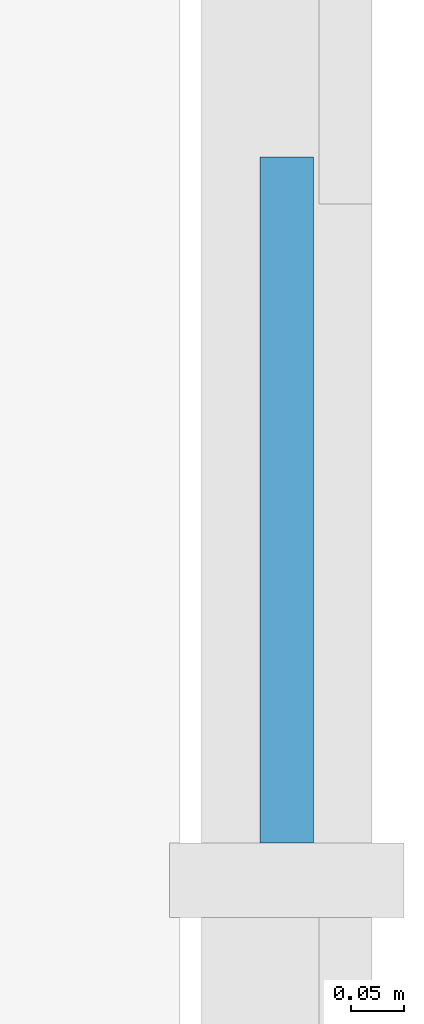
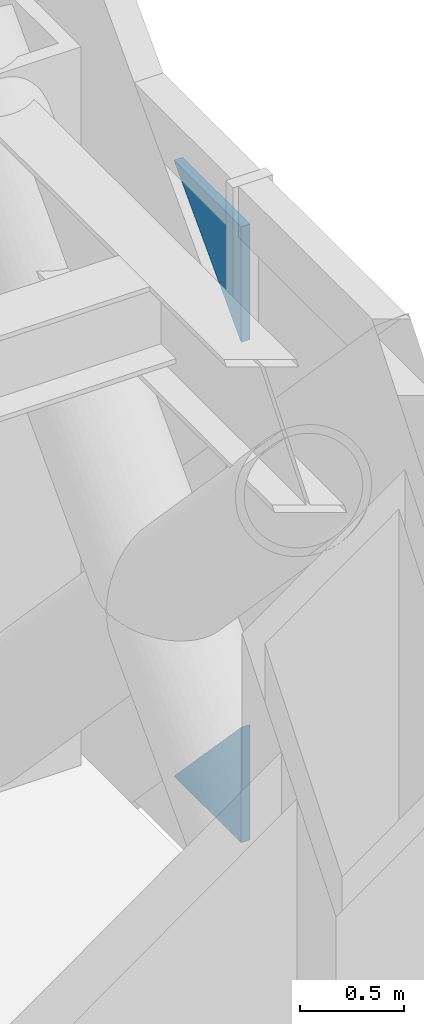
# One storey, part 13 of 18: 2 plates, 1 element without a shape of its own.
"""IFC4 building model written with IfcOpenShell, lengths in metres."""

from ifc_helpers import new_model, si_unit, direction, frame, origin, place, context, subcontext, project, spatial, polyline, outline, extrude, material, layer, layer_set, type_object, element, aggregate, save


model = new_model("IFC4")

# Units and contexts
model_context = context("Model", 3, precision=1e-05, world=origin(), true_north=direction((0.0, 1.0)))
body_context = subcontext(model_context, "Body", "Model", "MODEL_VIEW")
ifc_project = project(units=[si_unit("LENGTHUNIT", "METRE"), si_unit("AREAUNIT", "SQUARE_METRE"), si_unit("VOLUMEUNIT", "CUBIC_METRE"), si_unit("PLANEANGLEUNIT", "RADIAN"), si_unit("MASSUNIT", "GRAM", prefix="KILO")], contexts=[model_context])

# Site, building, storey
site_placement = place(None, origin())
site = spatial("IfcSite", under=ifc_project, at=site_placement, CompositionType="ELEMENT")
building_placement = place(site_placement, origin())
building = spatial("IfcBuilding", under=site, at=building_placement, Name="Rheinbord Bourse Tower", CompositionType="ELEMENT")
storey_placement = place(building_placement, frame((0.0, 0.0, 244.60009765625)))
storey = spatial("IfcBuildingStorey", under=building, at=storey_placement, Name="L55", CompositionType="ELEMENT", Elevation=244.60009765625)

# Curtain wall, plates
ifc_material_1 = material(Name="Dark glass and black aluminium", Category="aluminium")
curtain_wall_type = type_object("IfcCurtainWallType", Name="CW2 DARK GLASS CURTAIN WALL", PredefinedType="USERDEFINED", material=ifc_material_1)
curtain_wall_placement = place(storey_placement, origin())
curtain_wall = element("IfcCurtainWall", 1, at=curtain_wall_placement, inside=storey, type_object=curtain_wall_type, Name="Curtain wall CW2 E L55", ObjectType="UNITISED CURTAIN WALL", PredefinedType="USERDEFINED")
ifc_material_2 = material(Name="Dark tinted triple insulating glass", Category="glass")
ifc_layer = layer(ifc_material_2, 0.050048828125)
ifc_layer_set = layer_set([ifc_layer], Name="CW2 DARK GLASS PANEL")
plate_type = type_object("IfcPlateType", Name="CW2 DARK GLASS PANEL", PredefinedType="CURTAIN_PANEL", material=ifc_layer_set)
plate_1_placement = place(storey_placement, frame((72.625, 14.235107421875, 0.2998046875), z_axis=(-1.0, 0.0, 0.0), x_axis=(0.0, 0.0, 1.0)))
plate_1 = element("IfcPlate", 2, at=plate_1_placement, type_object=plate_type, Name="CW2 glass facet 1", PredefinedType="CURTAIN_PANEL", context=body_context, shape_type="SweptSolid", body=[
    extrude(outline(polyline([(0.0, 0.0), (0.676025390625, 0.0), (0.0, 0.643798828125), (0.0, 0.0)])), origin(), (0.0, 0.0, 1.0), 0.050048828125),
])
plate_2_placement = place(storey_placement, frame((72.625, 14.235107421875, 3.89990234375), z_axis=(-1.0, 0.0, 0.0), x_axis=(0.0, 1.0, 0.0)))
plate_2 = element("IfcPlate", 3, at=plate_2_placement, type_object=plate_type, Name="CW2 glass facet 2", PredefinedType="CURTAIN_PANEL", context=body_context, shape_type="SweptSolid", body=[
    extrude(outline(polyline([(0.0, 0.0), (0.643798828125, 0.0), (0.0, 0.676025390625), (0.0, 0.0)])), origin(), (0.0, 0.0, 1.0), 0.050048828125),
])
aggregate(curtain_wall, [plate_1, plate_2])

save(model, "model.ifc")
